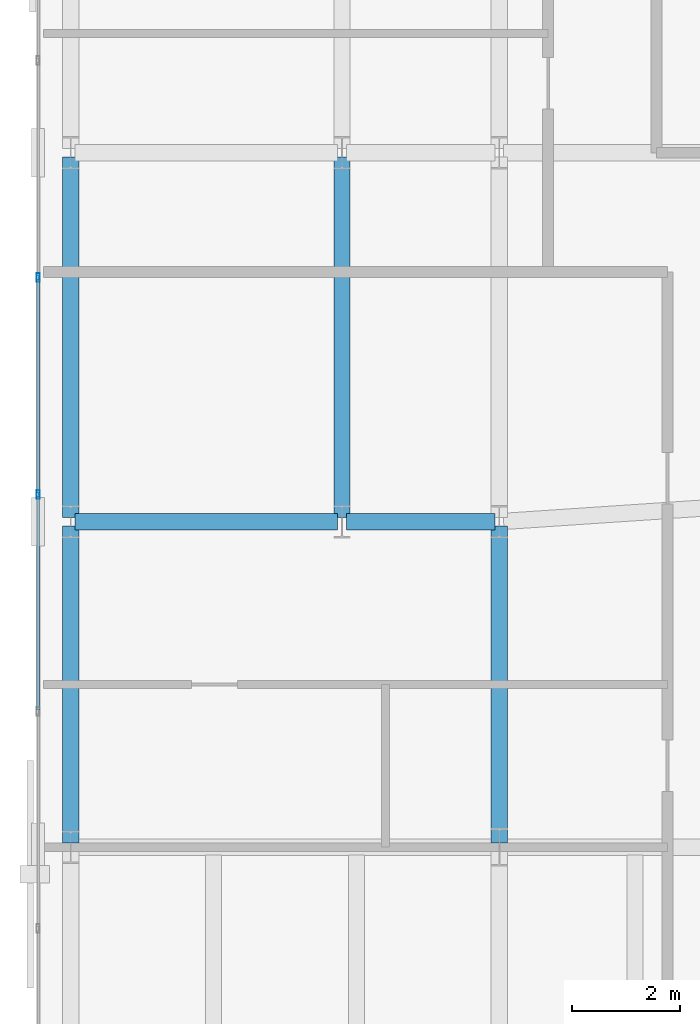
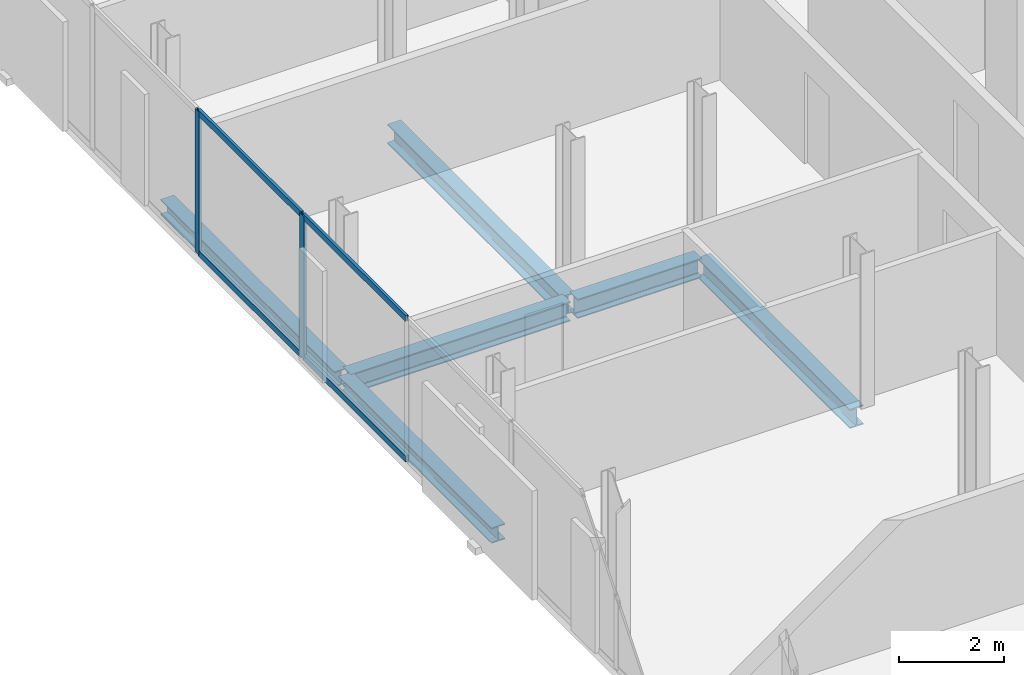
# One storey, part 9 of 33: 6 beams, 6 members, 1 element without a shape of its own.
"""IFC4 building model written with IfcOpenShell, lengths in metres."""

from ifc_helpers import new_model, si_unit, direction, frame, origin, origin_2d, place, context, subcontext, project, spatial, hollow_rectangle, i_section, extrude, material, layer, layer_set, material_profile, profile_set, type_object, element, aggregate, save


model = new_model("IFC4")

# Units and contexts
model_context = context("Model", 3, precision=1e-05, world=origin(), true_north=direction((0.0, 1.0)))
body_context = subcontext(model_context, "Body", "Model", "MODEL_VIEW")
ifc_project = project(units=[si_unit("LENGTHUNIT", "METRE"), si_unit("AREAUNIT", "SQUARE_METRE"), si_unit("VOLUMEUNIT", "CUBIC_METRE"), si_unit("PLANEANGLEUNIT", "RADIAN"), si_unit("MASSUNIT", "GRAM", prefix="KILO")], contexts=[model_context])

# Site, building, storey
site_placement = place(None, origin())
site = spatial("IfcSite", under=ifc_project, at=site_placement, CompositionType="ELEMENT")
building_placement = place(site_placement, origin())
building = spatial("IfcBuilding", under=site, at=building_placement, Name="Catumbela Crestline Tower", CompositionType="ELEMENT")
storey_placement = place(building_placement, frame((0.0, 0.0, 118.8)))
storey = spatial("IfcBuildingStorey", under=building, at=storey_placement, Name="L30", CompositionType="ELEMENT", Elevation=118.8)

# Beams
ifc_material_1 = material(Name="Structural steel S355J2", Category="steel")
ifc_material_profile_1 = material_profile(ifc_material_1, i_section(OverallWidth=0.3, OverallDepth=0.45, WebThickness=0.014, FlangeThickness=0.026, FilletRadius=0.027, at=origin_2d()), Name="HEB 450")
ifc_profile_set_1 = profile_set([ifc_material_profile_1], Name="Structural steel S355J2")
beam_type_1 = type_object("IfcBeamType", Name="BG-HEB450", PredefinedType="BEAM", material=ifc_profile_set_1)
beam_1_placement = place(storey_placement, frame((0.68, 24.0, -0.485), z_axis=(1.0, 0.0, 0.0), x_axis=(0.0, 1.0, 0.0)))
element("IfcBeam", 1, at=beam_1_placement, inside=storey, type_object=beam_type_1, Name="L30 Beam BM-L30-S01", PredefinedType="BEAM", context=body_context, shape_type="SweptSolid", body=[
    extrude(i_section(OverallWidth=0.3, OverallDepth=0.45, WebThickness=0.014, FlangeThickness=0.026, FilletRadius=0.027, at=origin_2d()), origin(), (0.0, 0.0, 1.0), 4.84),
])
beam_2_placement = place(storey_placement, frame((5.68, 24.0, -0.485), z_axis=(1.0, 0.0, 0.0), x_axis=(0.0, 1.0, 0.0)))
element("IfcBeam", 2, at=beam_2_placement, inside=storey, type_object=beam_type_1, Name="L30 Beam BM-L30-S02", PredefinedType="BEAM", context=body_context, shape_type="SweptSolid", body=[
    extrude(i_section(OverallWidth=0.3, OverallDepth=0.45, WebThickness=0.014, FlangeThickness=0.026, FilletRadius=0.027, at=origin_2d()), origin(), (0.0, 0.0, 1.0), 2.74),
])
beam_3_placement = place(storey_placement, frame((5.6, 24.08, -0.485), z_axis=(0.0, 1.0, 0.0), x_axis=(-1.0, 0.0, 0.0)))
element("IfcBeam", 3, at=beam_3_placement, inside=storey, type_object=beam_type_1, Name="L30 Beam BM-L30-SN24", PredefinedType="BEAM", context=body_context, shape_type="SweptSolid", body=[
    extrude(i_section(OverallWidth=0.3, OverallDepth=0.45, WebThickness=0.014, FlangeThickness=0.026, FilletRadius=0.027, at=origin_2d()), origin(), (0.0, 0.0, 1.0), 6.64),
])
beam_4_placement = place(storey_placement, frame((8.5, 18.08, -0.485), z_axis=(0.0, 1.0, 0.0), x_axis=(-1.0, 0.0, 0.0)))
element("IfcBeam", 4, at=beam_4_placement, inside=storey, type_object=beam_type_1, Name="L30 Beam BM-L30-WNS57", PredefinedType="BEAM", context=body_context, shape_type="SweptSolid", body=[
    extrude(i_section(OverallWidth=0.3, OverallDepth=0.45, WebThickness=0.014, FlangeThickness=0.026, FilletRadius=0.027, at=origin_2d()), origin(), (0.0, 0.0, 1.0), 5.84),
])

# Curtain wall, members
ifc_material_2 = material(Name="Aluminium alloy AW-6060-T66", Category="aluminium")
ifc_layer = layer(ifc_material_2, 0.18, Name="Aluminium alloy AW-6060-T66")
ifc_layer_set = layer_set([ifc_layer], Name="Aluminium alloy AW-6060-T66")
curtain_wall_type = type_object("IfcCurtainWallType", Name="CWU-Z2", PredefinedType="USERDEFINED", material=ifc_layer_set)
curtain_wall_placement = place(storey_placement, origin())
curtain_wall = element("IfcCurtainWall", 5, at=curtain_wall_placement, inside=storey, type_object=curtain_wall_type, Name="L30 Unitised Curtain Wall CW-L30-E9S1", ObjectType="UNITISED", PredefinedType="USERDEFINED")
ifc_material_profile_2 = material_profile(ifc_material_2, hollow_rectangle(XDim=0.06, YDim=0.16, WallThickness=0.004, at=origin_2d()), Name="ALU 160x60x4")
ifc_profile_set_2 = profile_set([ifc_material_profile_2], Name="Aluminium alloy AW-6060-T66")
member_type_1 = type_object("IfcMemberType", Name="MUL-160X60", PredefinedType="MULLION", material=ifc_profile_set_2)
member_1_placement = place(storey_placement, frame((0.0, 28.5, 0.0), z_axis=(0.0, 0.0, 1.0), x_axis=(1.0, 0.0, 0.0)))
member_1 = element("IfcMember", 6, at=member_1_placement, type_object=member_type_1, Name="CWU-Z2 mullion 5", PredefinedType="MULLION", context=body_context, shape_type="SweptSolid", body=[
    extrude(hollow_rectangle(XDim=0.06, YDim=0.16, WallThickness=0.004, at=origin_2d()), origin(), (0.0, 0.0, 1.0), 3.33),
])
member_2_placement = place(storey_placement, frame((0.0, 24.5, 0.0), z_axis=(0.0, 0.0, 1.0), x_axis=(1.0, 0.0, 0.0)))
member_2 = element("IfcMember", 7, at=member_2_placement, type_object=member_type_1, Name="CWU-Z2 mullion 6", PredefinedType="MULLION", context=body_context, shape_type="SweptSolid", body=[
    extrude(hollow_rectangle(XDim=0.06, YDim=0.16, WallThickness=0.004, at=origin_2d()), origin(), (0.0, 0.0, 1.0), 3.33),
])

# Beams
ifc_material_profile_3 = material_profile(ifc_material_1, i_section(OverallWidth=0.3, OverallDepth=0.36, WebThickness=0.0125, FlangeThickness=0.0225, FilletRadius=0.027, at=origin_2d()), Name="HEB 360")
ifc_profile_set_3 = profile_set([ifc_material_profile_3], Name="Structural steel S355J2")
beam_type_2 = type_object("IfcBeamType", Name="BS-HEB360", PredefinedType="SPANDREL", material=ifc_profile_set_3)
beam_5_placement = place(storey_placement, frame((0.6, 24.08, -0.44), z_axis=(0.0, 1.0, 0.0), x_axis=(-1.0, 0.0, 0.0)))
element("IfcBeam", 8, at=beam_5_placement, inside=storey, type_object=beam_type_2, Name="L30 Spandrel SP-L30-SN22", PredefinedType="SPANDREL", context=body_context, shape_type="SweptSolid", body=[
    extrude(i_section(OverallWidth=0.3, OverallDepth=0.36, WebThickness=0.0125, FlangeThickness=0.0225, FilletRadius=0.027, at=origin_2d()), origin(), (0.0, 0.0, 1.0), 6.64),
])
beam_6_placement = place(storey_placement, frame((0.6, 18.08, -0.44), z_axis=(0.0, 1.0, 0.0), x_axis=(-1.0, 0.0, 0.0)))
element("IfcBeam", 9, at=beam_6_placement, inside=storey, type_object=beam_type_2, Name="L30 Spandrel SP-L30-WNS54", PredefinedType="SPANDREL", context=body_context, shape_type="SweptSolid", body=[
    extrude(i_section(OverallWidth=0.3, OverallDepth=0.36, WebThickness=0.0125, FlangeThickness=0.0225, FilletRadius=0.027, at=origin_2d()), origin(), (0.0, 0.0, 1.0), 5.84),
])

# Member
ifc_material_profile_4 = material_profile(ifc_material_2, hollow_rectangle(XDim=0.06, YDim=0.14, WallThickness=0.004, at=origin_2d()), Name="ALU 140x60x4")
ifc_profile_set_4 = profile_set([ifc_material_profile_4], Name="Aluminium alloy AW-6060-T66")
member_type_2 = type_object("IfcMemberType", Name="TRN-140X60", PredefinedType="USERDEFINED", material=ifc_profile_set_4)
member_3_placement = place(storey_placement, frame((0.0, 28.4675, 0.03), z_axis=(0.0, -1.0, 0.0), x_axis=(1.0, 0.0, 0.0)))
member_3 = element("IfcMember", 10, at=member_3_placement, type_object=member_type_2, Name="CWU-Z2 transom 5.1", ObjectType="TRANSOM", PredefinedType="USERDEFINED", context=body_context, shape_type="SweptSolid", body=[
    extrude(hollow_rectangle(XDim=0.06, YDim=0.14, WallThickness=0.004, at=origin_2d()), origin(), (0.0, 0.0, 1.0), 3.935),
])

member_4_placement = place(storey_placement, frame((0.0, 28.4675, 3.3), z_axis=(0.0, -1.0, 0.0), x_axis=(1.0, 0.0, 0.0)))
member_4 = element("IfcMember", 11, at=member_4_placement, type_object=member_type_2, Name="CWU-Z2 transom 5.2", ObjectType="TRANSOM", PredefinedType="USERDEFINED", context=body_context, shape_type="SweptSolid", body=[
    extrude(hollow_rectangle(XDim=0.06, YDim=0.14, WallThickness=0.004, at=origin_2d()), origin(), (0.0, 0.0, 1.0), 3.935),
])

member_5_placement = place(storey_placement, frame((0.0, 24.4675, 0.03), z_axis=(0.0, -1.0, 0.0), x_axis=(1.0, 0.0, 0.0)))
member_5 = element("IfcMember", 12, at=member_5_placement, type_object=member_type_2, Name="CWU-Z2 transom 6.1", ObjectType="TRANSOM", PredefinedType="USERDEFINED", context=body_context, shape_type="SweptSolid", body=[
    extrude(hollow_rectangle(XDim=0.06, YDim=0.14, WallThickness=0.004, at=origin_2d()), origin(), (0.0, 0.0, 1.0), 3.935),
])

member_6_placement = place(storey_placement, frame((0.0, 24.4675, 3.3), z_axis=(0.0, -1.0, 0.0), x_axis=(1.0, 0.0, 0.0)))
member_6 = element("IfcMember", 13, at=member_6_placement, type_object=member_type_2, Name="CWU-Z2 transom 6.2", ObjectType="TRANSOM", PredefinedType="USERDEFINED", context=body_context, shape_type="SweptSolid", body=[
    extrude(hollow_rectangle(XDim=0.06, YDim=0.14, WallThickness=0.004, at=origin_2d()), origin(), (0.0, 0.0, 1.0), 3.935),
])

aggregate(curtain_wall, [member_1, member_2, member_3, member_4, member_5, member_6])

save(model, "model.ifc")
